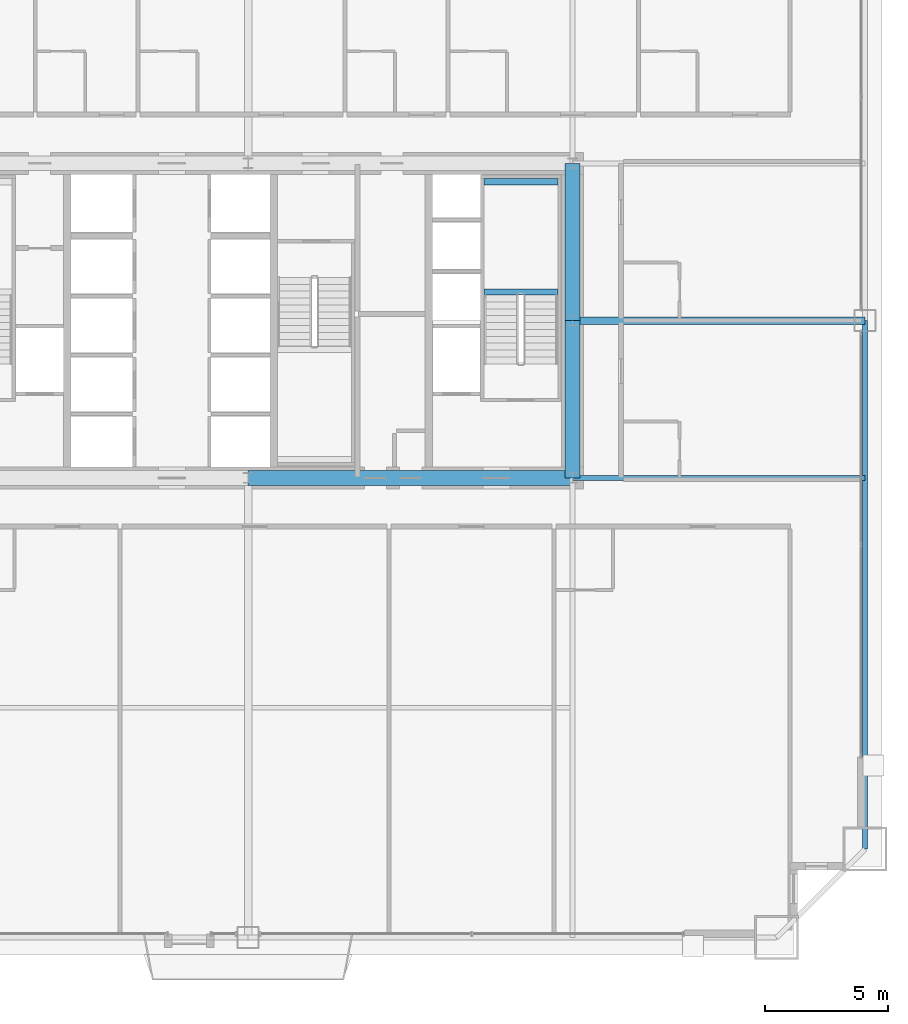
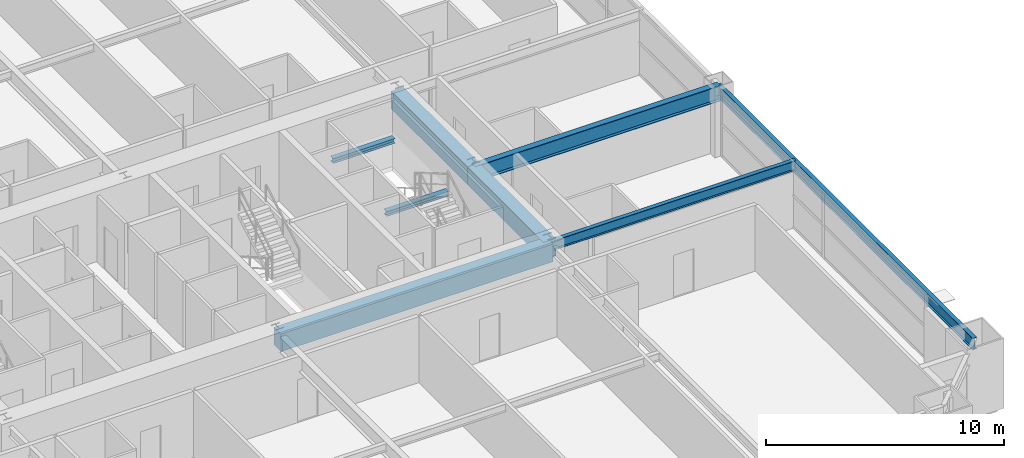
# One storey, part 19 of 45: 8 beams.
"""IFC4 building model written with IfcOpenShell, lengths in metres."""

from ifc_helpers import new_model, si_unit, direction, frame, origin, origin_2d, place, context, subcontext, project, spatial, rectangle, i_section, extrude, source, transform, mapped, material, material_profile, profile_set, type_object, element, save


model = new_model("IFC4")

# Units and contexts
model_context = context("Model", 3, precision=1e-05, world=origin(), true_north=direction((0.0, 1.0)))
body_context = subcontext(model_context, "Body", "Model", "MODEL_VIEW")
ifc_project = project(units=[si_unit("LENGTHUNIT", "METRE"), si_unit("AREAUNIT", "SQUARE_METRE"), si_unit("VOLUMEUNIT", "CUBIC_METRE"), si_unit("PLANEANGLEUNIT", "RADIAN"), si_unit("MASSUNIT", "GRAM", prefix="KILO"), si_unit("THERMODYNAMICTEMPERATUREUNIT", "KELVIN"), si_unit("POWERUNIT", "WATT")], contexts=[model_context])

# Site, building, storey
site_placement = place(None, origin())
site = spatial("IfcSite", under=ifc_project, at=site_placement, CompositionType="ELEMENT")
building_placement = place(site_placement, origin())
building = spatial("IfcBuilding", under=site, at=building_placement, Name="Yuzanri Waterfront Tower", CompositionType="ELEMENT")
storey_placement = place(building_placement, frame((0.0, 0.0, 49.60009765625)))
storey = spatial("IfcBuildingStorey", under=building, at=storey_placement, Name="L12", CompositionType="ELEMENT", Elevation=49.60009765625)

# Beams
ifc_material_1 = material(Name="Concrete C60", Category="concrete")
ifc_material_profile_1 = material_profile(ifc_material_1, rectangle(XDim=0.60009765625, YDim=0.89990234375, at=origin_2d()), Name="RC 600x900")
ifc_profile_set_1 = profile_set([ifc_material_profile_1], Name="Concrete C60")
beam_type_1 = type_object("IfcBeamType", Name="Core Coupling Lintel Concrete C60 600x900", PredefinedType="LINTEL", material=ifc_profile_set_1)
shared_shape_1 = source(origin(), body_context, "Body", "SweptSolid", [
    extrude(rectangle(XDim=0.60009765625, YDim=0.89990234375, at=origin_2d()), origin(), (0.0, 0.0, 1.0), 13.199951171875),
])
beam_1_placement = place(storey_placement, frame((37.0, 19.39990234375, 2.929931640625), z_axis=(1.0, 0.0, 0.0), x_axis=(0.0, 1.0, 0.0)))
element("IfcBeam", 1, at=beam_1_placement, inside=storey, type_object=beam_type_1, Name="L12 Core Tie Beam CS2", PredefinedType="LINTEL", context=body_context, shape_type="MappedRepresentation", body=[
    mapped(shared_shape_1, transform((0.0, 0.0, 0.0), scale=1.0)),
])
shared_shape_2 = source(origin(), body_context, "Body", "SweptSolid", [
    extrude(rectangle(XDim=0.60009765625, YDim=0.89990234375, at=origin_2d()), origin(), (0.0, 0.0, 1.0), 6.400146484375),
])
beam_2_placement = place(storey_placement, frame((50.199951171875, 19.39990234375, 2.929931640625), z_axis=(0.0, 1.0, 0.0), x_axis=(-1.0, 0.0, 0.0)))
element("IfcBeam", 2, at=beam_2_placement, inside=storey, type_object=beam_type_1, Name="L12 Core Tie Beam CE1", PredefinedType="LINTEL", context=body_context, shape_type="MappedRepresentation", body=[
    mapped(shared_shape_2, transform((0.0, 0.0, 0.0), scale=1.0)),
])
shared_shape_3 = source(origin(), body_context, "Body", "SweptSolid", [
    extrude(rectangle(XDim=0.60009765625, YDim=0.89990234375, at=origin_2d()), origin(), (0.0, 0.0, 1.0), 6.39990234375),
])
beam_3_placement = place(storey_placement, frame((50.199951171875, 25.800048828125, 2.929931640625), z_axis=(0.0, 1.0, 0.0), x_axis=(-1.0, 0.0, 0.0)))
element("IfcBeam", 3, at=beam_3_placement, inside=storey, type_object=beam_type_1, Name="L12 Core Tie Beam CE2", PredefinedType="LINTEL", context=body_context, shape_type="MappedRepresentation", body=[
    mapped(shared_shape_3, transform((0.0, 0.0, 0.0), scale=1.0)),
])
ifc_material_2 = material(Name="Steel Q355B", Category="steel")
ifc_material_profile_2 = material_profile(ifc_material_2, i_section(OverallWidth=0.199951171875, OverallDepth=0.60009765625, WebThickness=0.010986328125, FlangeThickness=0.01708984375, at=origin_2d()), Name="HN 600x200x11x17")
ifc_profile_set_2 = profile_set([ifc_material_profile_2], Name="Steel Q355B")
beam_type_2 = type_object("IfcBeamType", Name="Perimeter Spandrel Q355B HN 600x200", PredefinedType="SPANDREL", material=ifc_profile_set_2)
shared_shape_4 = source(origin(), body_context, "Body", "SweptSolid", [
    extrude(i_section(OverallWidth=0.199951171875, OverallDepth=0.60009765625, WebThickness=0.010986328125, FlangeThickness=0.01708984375, at=origin_2d()), origin(), (0.0, 0.0, 1.0), 21.5),
])
beam_4_placement = place(storey_placement, frame((62.10009765625, 4.300048828125, 3.079833984375), z_axis=(0.0, 1.0, 0.0), x_axis=(-1.0, 0.0, 0.0)))
element("IfcBeam", 4, at=beam_4_placement, inside=storey, type_object=beam_type_2, Name="L12 Perimeter Spandrel E1-E2", PredefinedType="SPANDREL", context=body_context, shape_type="MappedRepresentation", body=[
    mapped(shared_shape_4, transform((0.0, 0.0, 0.0), scale=1.0)),
])
ifc_material_3 = material(Name="Steel Q355B", Category="steel")
ifc_material_profile_3 = material_profile(ifc_material_3, i_section(OverallWidth=0.300048828125, OverallDepth=0.800048828125, WebThickness=0.013916015625, FlangeThickness=0.02587890625, at=origin_2d()), Name="HN 800x300x14x26")
ifc_profile_set_3 = profile_set([ifc_material_profile_3], Name="Steel Q355B")
beam_type_3 = type_object("IfcBeamType", Name="Primary Floor Girder Q355B HN 800x300", PredefinedType="BEAM", material=ifc_profile_set_3)
shared_shape_5 = source(origin(), body_context, "Body", "SweptSolid", [
    extrude(i_section(OverallWidth=0.300048828125, OverallDepth=0.800048828125, WebThickness=0.013916015625, FlangeThickness=0.02587890625, at=origin_2d()), origin(), (0.0, 0.0, 1.0), 11.900146484375),
])
beam_5_placement = place(storey_placement, frame((50.199951171875, 25.800048828125, 2.97998046875), z_axis=(1.0, 0.0, 0.0), x_axis=(0.0, 1.0, 0.0)))
element("IfcBeam", 5, at=beam_5_placement, inside=storey, type_object=beam_type_3, Name="L12 East Grid Girder", PredefinedType="BEAM", context=body_context, shape_type="MappedRepresentation", body=[
    mapped(shared_shape_5, transform((0.0, 0.0, 0.0), scale=1.0)),
])
ifc_material_4 = material(Name="Steel Q355B", Category="steel")
ifc_material_profile_4 = material_profile(ifc_material_4, i_section(OverallWidth=0.199951171875, OverallDepth=0.5, WebThickness=0.010009765625, FlangeThickness=0.01611328125, at=origin_2d()), Name="HN 500x200x10x16")
ifc_profile_set_4 = profile_set([ifc_material_profile_4], Name="Steel Q355B")
beam_type_4 = type_object("IfcBeamType", Name="Secondary Floor Beam Q355B HN 500x200", PredefinedType="BEAM", material=ifc_profile_set_4)
shared_shape_6 = source(origin(), body_context, "Body", "SweptSolid", [
    extrude(i_section(OverallWidth=0.199951171875, OverallDepth=0.5, WebThickness=0.010009765625, FlangeThickness=0.01611328125, at=origin_2d()), origin(), (0.0, 0.0, 1.0), 11.900146484375),
])
beam_6_placement = place(storey_placement, frame((50.199951171875, 19.39990234375, 3.1298828125), z_axis=(1.0, 0.0, 0.0), x_axis=(0.0, 1.0, 0.0)))
element("IfcBeam", 6, at=beam_6_placement, inside=storey, type_object=beam_type_4, Name="L12 East-South Core Line Beam", PredefinedType="BEAM", context=body_context, shape_type="MappedRepresentation", body=[
    mapped(shared_shape_6, transform((0.0, 0.0, 0.0), scale=1.0)),
])
ifc_material_5 = material(Name="Steel Q355B", Category="steel")
ifc_material_profile_5 = material_profile(ifc_material_5, i_section(OverallWidth=0.25, OverallDepth=0.25, WebThickness=0.009033203125, FlangeThickness=0.013916015625, at=origin_2d()), Name="HW 250x250x9x14")
ifc_profile_set_5 = profile_set([ifc_material_profile_5], Name="Steel Q355B")
beam_type_5 = type_object("IfcBeamType", Name="Stair Landing Support Beam Q355B HW 250x250", PredefinedType="BEAM", material=ifc_profile_set_5)
shared_shape_7 = source(origin(), body_context, "Body", "SweptSolid", [
    extrude(i_section(OverallWidth=0.25, OverallDepth=0.25, WebThickness=0.009033203125, FlangeThickness=0.013916015625, at=origin_2d()), origin(), (0.0, 0.0, 1.0), 3.0),
])
for number, where, z_axis, x_axis, name in (
    (7, (46.60009765625, 26.969970703125, 1.474853515625), (1.0, 0.0, 0.0), (0.0, 1.0, 0.0), "L12 Stair Landing Support Beam ST-02-L12-L1-1"),
    (8, (46.60009765625, 31.449951171875, 1.474853515625), (1.0, 0.0, 0.0), (0.0, 1.0, 0.0), "L12 Stair Landing Support Beam ST-02-L12-L1-2"),
):
    element("IfcBeam", number, at=place(storey_placement, frame(where, z_axis=z_axis, x_axis=x_axis)), inside=storey, type_object=beam_type_5, Name=name, PredefinedType="BEAM", context=body_context, shape_type="MappedRepresentation", body=[
        mapped(shared_shape_7, transform((0.0, 0.0, 0.0), scale=1.0)),
    ])

save(model, "model.ifc")
